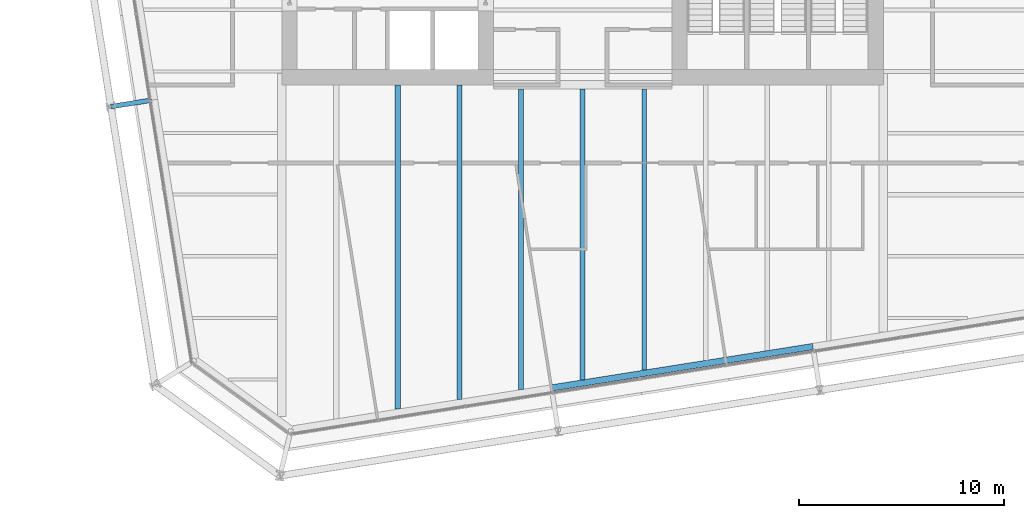
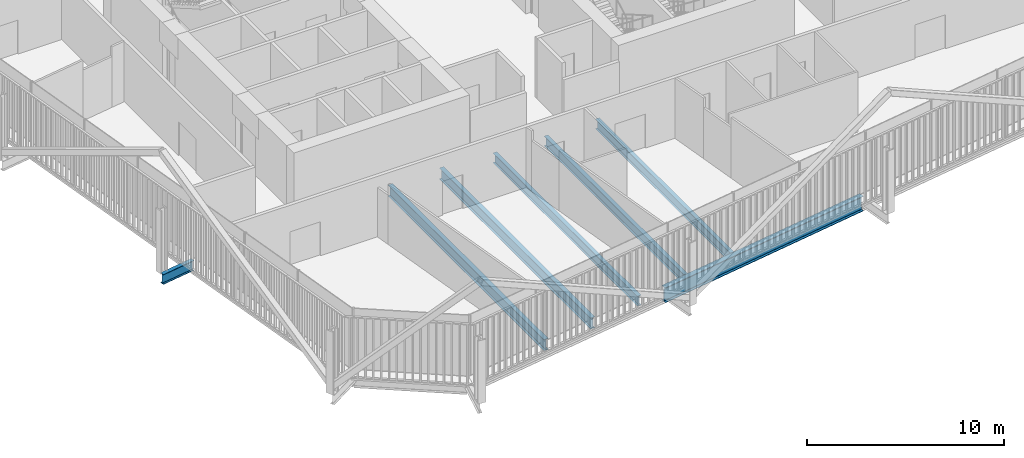
# One storey, part 3 of 22: 7 beams.
"""IFC4 building model written with IfcOpenShell, lengths in metres."""

import ifcopenshell
import ifcopenshell.guid

model = None  # the IFC model being written
_history = None  # IfcOwnerHistory: only IFC2X3 demands one
_inside = {}  # id of a spatial element -> (the spatial element, [elements in it])
_under = {}  # id of a project, library or spatial element -> (it, [spatial elements below it])
_declared = {}  # id of a project -> (the project, [libraries it declares])
_typed = {}  # id of a type object -> (the type object, [elements of that type])
_made_of = {}  # id of a material, layer set ... -> (it, [elements and type objects made of it])


def new_model(schema):
    """Start an empty IFC model of exactly this schema.

    Asked for "IFC4X3", IfcOpenShell would pick the latest addendum, in which some entities
    have other attributes; the version numbers below select the first issue.
    IFC2X3 requires an IfcOwnerHistory on every rooted entity: one is made here for all.
    """
    global model, _history
    if schema == "IFC4X3":
        model = ifcopenshell.file(schema_version=(4, 3, 0, 0))
    else:
        model = ifcopenshell.file(schema=schema)
    _inside.clear()
    _under.clear()
    _declared.clear()
    _typed.clear()
    _made_of.clear()
    _history = None
    if model.schema == "IFC2X3":
        org = make("IfcOrganization", Name="unknown")
        user = make(
            "IfcPersonAndOrganization",
            ThePerson=make("IfcPerson", FamilyName="unknown"),
            TheOrganization=org,
        )
        app = make(
            "IfcApplication",
            ApplicationDeveloper=org,
            Version="unknown",
            ApplicationFullName="unknown",
            ApplicationIdentifier="unknown",
        )
        _history = make(
            "IfcOwnerHistory",
            OwningUser=user,
            OwningApplication=app,
            ChangeAction="ADDED",
            CreationDate=0,
        )
    return model


def make(cls, **values):
    """One entity of the class cls with the attributes given. An attribute that is None is left unset."""
    return model.create_entity(
        cls, **{name: value for name, value in values.items() if value is not None}
    )


def rooted(cls, **values):
    """An entity with a GlobalId (a new one), such as an element, a storey or a relation."""
    return make(cls, GlobalId=ifcopenshell.guid.new(), OwnerHistory=_history, **values)


def si_unit(unit_type, name, prefix=None):
    """IfcSIUnit, for example si_unit("LENGTHUNIT", "METRE", prefix="MILLI")."""
    return make("IfcSIUnit", UnitType=unit_type, Prefix=prefix, Name=name)


def assignment(units):
    """IfcUnitAssignment: the units of a project."""
    return None if units is None else make("IfcUnitAssignment", Units=units)


def point(xyz):
    """IfcCartesianPoint."""
    return None if xyz is None else make("IfcCartesianPoint", Coordinates=xyz)


def direction(xyz):
    """IfcDirection."""
    return None if xyz is None else make("IfcDirection", DirectionRatios=xyz)


def frame(location, z_axis=None, x_axis=None):
    """IfcAxis2Placement3D, a coordinate frame: its origin and axes. An axis left out is left unset."""
    return make(
        "IfcAxis2Placement3D",
        Location=point(location),
        Axis=direction(z_axis),
        RefDirection=direction(x_axis),
    )


def frame_2d(location, x_axis=None):
    """IfcAxis2Placement2D, a coordinate frame in the plane: its origin and x axis."""
    return make(
        "IfcAxis2Placement2D", Location=point(location), RefDirection=direction(x_axis)
    )


def origin():
    """The frame at (0, 0, 0) with its axes left unset."""
    return frame((0.0, 0.0, 0.0))


def origin_2d():
    """The frame at (0, 0) in the plane with its x axis left unset."""
    return frame_2d((0.0, 0.0))


def place(relative_to, where):
    """IfcLocalPlacement: puts the frame where relative to a parent placement (None: the world)."""
    return make(
        "IfcLocalPlacement", PlacementRelTo=relative_to, RelativePlacement=where
    )


def context(
    kind, dimensions, precision=None, world=None, true_north=None, identifier=None
):
    """IfcGeometricRepresentationContext, for example the 3D "Model" context."""
    return make(
        "IfcGeometricRepresentationContext",
        ContextIdentifier=identifier,
        ContextType=kind,
        CoordinateSpaceDimension=dimensions,
        Precision=precision,
        WorldCoordinateSystem=world,
        TrueNorth=true_north,
    )


def subcontext(parent, identifier, kind, view, scale=None):
    """IfcGeometricRepresentationSubContext, for example "Body" below "Model"."""
    return make(
        "IfcGeometricRepresentationSubContext",
        ContextIdentifier=identifier,
        ContextType=kind,
        ParentContext=parent,
        TargetScale=scale,
        TargetView=view,
    )


def project(units=None, contexts=None):
    """IfcProject with its units and contexts."""
    return rooted(
        "IfcProject",
        Name="project",
        RepresentationContexts=contexts,
        UnitsInContext=assignment(units),
    )


def spatial(cls, under=None, at=None, **own):
    """A site, building, storey or space (cls), placed at a placement, below another one or the project."""
    s = rooted(cls, ObjectPlacement=at, **own)
    if under is not None:
        _under.setdefault(under.id(), (under, []))[1].append(s)
    return s


def profile(cls, at=None, kind="AREA", **sizes):
    """A parametric profile (cls). Its sizes go by their IFC names, for example OverallWidth=200.0."""
    return make(cls, ProfileType=kind, Position=at, **sizes)


def i_section(**sizes):
    """IfcIShapeProfileDef."""
    return profile("IfcIShapeProfileDef", **sizes)


def extrude(swept, where, along, depth):
    """IfcExtrudedAreaSolid: the profile swept, set in the frame where, extruded along a direction by depth."""
    return make(
        "IfcExtrudedAreaSolid",
        SweptArea=swept,
        Position=where,
        ExtrudedDirection=direction(along),
        Depth=depth,
    )


def shape(context_of_items, identifier, shape_type, items):
    """IfcShapeRepresentation: the items that make up one representation, for example the "Body"."""
    return make(
        "IfcShapeRepresentation",
        ContextOfItems=context_of_items,
        RepresentationIdentifier=identifier,
        RepresentationType=shape_type,
        Items=items,
    )


def material(Name=None, Category=None):
    """IfcMaterial."""
    return make("IfcMaterial", Name=Name, Category=Category)


def material_profile(
    of_material, cross_section, Name=None, Category=None, Priority=None
):
    """IfcMaterialProfile: a cross section and its material."""
    return make(
        "IfcMaterialProfile",
        Name=Name,
        Material=of_material,
        Profile=cross_section,
        Priority=Priority,
        Category=Category,
    )


def profile_set(profiles, Name=None, composite=None):
    """IfcMaterialProfileSet."""
    return make(
        "IfcMaterialProfileSet",
        Name=Name,
        MaterialProfiles=profiles,
        CompositeProfile=composite,
    )


def made_of(thing, what):
    """Note that an element or type object is made of a material, layer set ...; save() writes the relation."""
    if what is not None:
        _made_of.setdefault(what.id(), (what, []))[1].append(thing)
    return thing


def type_object(cls, material=None, **own):
    """A type object (cls), such as IfcWallType, which elements share."""
    return made_of(rooted(cls, **own), material)


def element(
    cls,
    number,
    at=None,
    inside=None,
    cuts=None,
    type_object=None,
    material=None,
    context=None,
    identifier="Body",
    shape_type=None,
    held_by="IfcProductDefinitionShape",
    body=None,
    shapes=None,
    **own,
):
    """One element of the class cls, such as IfcWall. Its Tag is "e" and its number.

    at: its placement. inside: the storey or other place that contains it. cuts: it is an
    opening in that element (IfcRelVoidsElement). A single representation is given by context,
    identifier, shape_type and body (its items); several are given by shapes. held_by: the class
    of the entity that holds the representations. save() writes the other relations.
    """
    e = rooted(cls, Tag="e%d" % number, ObjectPlacement=at, **own)
    if body is not None:
        shapes = [shape(context, identifier, shape_type, body)]
    if shapes is not None:
        e.Representation = make(held_by, Representations=shapes)
    if inside is not None:
        _inside.setdefault(inside.id(), (inside, []))[1].append(e)
    if cuts is not None:
        rooted(
            "IfcRelVoidsElement", RelatingBuildingElement=cuts, RelatedOpeningElement=e
        )
    if type_object is not None:
        _typed.setdefault(type_object.id(), (type_object, []))[1].append(e)
    return made_of(e, material)


def aggregate(whole, parts):
    """IfcRelAggregates: a whole, such as a stair, and the parts it consists of."""
    return rooted("IfcRelAggregates", RelatingObject=whole, RelatedObjects=parts)


def save(model, path):
    """Write the relations noted so far, then the file.

    IfcRelAggregates (storeys below a building ...), IfcRelContainedInSpatialStructure (elements
    in a storey), IfcRelDefinesByType, IfcRelAssociatesMaterial and IfcRelDeclares: one each for
    every whole, place, type object, material and project.
    """
    for whole, parts in _under.values():
        aggregate(whole, parts)
    for where, things in _inside.values():
        rooted(
            "IfcRelContainedInSpatialStructure",
            RelatedElements=things,
            RelatingStructure=where,
        )
    for kind, things in _typed.values():
        rooted("IfcRelDefinesByType", RelatedObjects=things, RelatingType=kind)
    for what, things in _made_of.values():
        rooted("IfcRelAssociatesMaterial", RelatedObjects=things, RelatingMaterial=what)
    for by, libraries in _declared.values():
        rooted("IfcRelDeclares", RelatingContext=by, RelatedDefinitions=libraries)
    model.write(path)


model = new_model("IFC4")

# Units and contexts
model_context = context("Model", 3, precision=1e-05, world=origin(), true_north=direction((0.0, 1.0)))
body_context = subcontext(model_context, "Body", "Model", "MODEL_VIEW")
ifc_project = project(units=[si_unit("LENGTHUNIT", "METRE"), si_unit("AREAUNIT", "SQUARE_METRE"), si_unit("VOLUMEUNIT", "CUBIC_METRE"), si_unit("PLANEANGLEUNIT", "RADIAN"), si_unit("MASSUNIT", "GRAM", prefix="KILO")], contexts=[model_context])

# Site, building, storey
site_placement = place(None, origin())
site = spatial("IfcSite", under=ifc_project, at=site_placement, CompositionType="ELEMENT")
building_placement = place(site_placement, origin())
building = spatial("IfcBuilding", under=site, at=building_placement, Name="Millrace Tower", CompositionType="ELEMENT")
storey_placement = place(building_placement, frame((0.0, 0.0, 145.10009765625)))
storey = spatial("IfcBuildingStorey", under=building, at=storey_placement, Name="L32", CompositionType="ELEMENT", Elevation=145.10009765625)

# Beams
ifc_material_1 = material(Name="Steel ASTM A992 Grade 50", Category="steel")
ifc_material_profile_1 = material_profile(ifc_material_1, i_section(OverallWidth=0.228271484375, OverallDepth=0.607177734375, WebThickness=0.01123046875, FlangeThickness=0.017333984375, FilletRadius=0.0126953125, at=origin_2d()))
ifc_profile_set_1 = profile_set([ifc_material_profile_1], Name="Steel ASTM A992 Grade 50")
beam_type_1 = type_object("IfcBeamType", Name="Floor beam W24x76", PredefinedType="JOIST", material=ifc_profile_set_1)
beam_1_placement = place(storey_placement, frame((-3.0, -24.4970703125, -0.463623046875), z_axis=(0.0, 1.0, 0.0), x_axis=(-1.0, 0.0, 0.0)))
element("IfcBeam", 1, at=beam_1_placement, inside=storey, type_object=beam_type_1, Name="BM-C-L32-S1-S046", PredefinedType="JOIST", context=body_context, shape_type="SweptSolid", body=[
    extrude(i_section(OverallWidth=0.228271484375, OverallDepth=0.607177734375, WebThickness=0.01123046875, FlangeThickness=0.017333984375, FilletRadius=0.0126953125, at=origin_2d()), origin(), (0.0, 0.0, 1.0), 14.637451171875),
])
beam_2_placement = place(storey_placement, frame((0.0, -24.021728515625, -0.463623046875), z_axis=(0.0, 1.0, 0.0), x_axis=(-1.0, 0.0, 0.0)))
element("IfcBeam", 2, at=beam_2_placement, inside=storey, type_object=beam_type_1, Name="BM-C-L32-S1-S048", PredefinedType="JOIST", context=body_context, shape_type="SweptSolid", body=[
    extrude(i_section(OverallWidth=0.228271484375, OverallDepth=0.607177734375, WebThickness=0.01123046875, FlangeThickness=0.017333984375, FilletRadius=0.0126953125, at=origin_2d()), origin(), (0.0, 0.0, 1.0), 14.162109375),
])
beam_3_placement = place(storey_placement, frame((3.0, -23.546630859375, -0.463623046875), z_axis=(0.0, 1.0, 0.0), x_axis=(-1.0, 0.0, 0.0)))
element("IfcBeam", 3, at=beam_3_placement, inside=storey, type_object=beam_type_1, Name="BM-C-L32-S1-S050", PredefinedType="JOIST", context=body_context, shape_type="SweptSolid", body=[
    extrude(i_section(OverallWidth=0.228271484375, OverallDepth=0.607177734375, WebThickness=0.01123046875, FlangeThickness=0.017333984375, FilletRadius=0.0126953125, at=origin_2d()), origin(), (0.0, 0.0, 1.0), 13.68701171875),
])
ifc_material_2 = material(Name="Steel ASTM A992 Grade 50", Category="steel")
ifc_material_profile_2 = material_profile(ifc_material_2, i_section(OverallWidth=0.256591796875, OverallDepth=0.693359375, WebThickness=0.014404296875, FlangeThickness=0.023681640625, FilletRadius=0.01513671875, at=origin_2d()))
ifc_profile_set_2 = profile_set([ifc_material_profile_2], Name="Steel ASTM A992 Grade 50")
beam_type_2 = type_object("IfcBeamType", Name="Floor beam W27x114", PredefinedType="JOIST", material=ifc_profile_set_2)
beam_4_placement = place(storey_placement, frame((-9.0, -25.447265625, -0.5068359375), z_axis=(0.0, 1.0, 0.0), x_axis=(-1.0, 0.0, 0.0)))
element("IfcBeam", 4, at=beam_4_placement, inside=storey, type_object=beam_type_2, Name="BM-C-L32-S1-S042", PredefinedType="JOIST", context=body_context, shape_type="SweptSolid", body=[
    extrude(i_section(OverallWidth=0.256591796875, OverallDepth=0.693359375, WebThickness=0.014404296875, FlangeThickness=0.023681640625, FilletRadius=0.01513671875, at=origin_2d()), origin(), (0.0, 0.0, 1.0), 15.79736328125),
])
beam_5_placement = place(storey_placement, frame((-6.0, -24.97216796875, -0.5068359375), z_axis=(0.0, 1.0, 0.0), x_axis=(-1.0, 0.0, 0.0)))
element("IfcBeam", 5, at=beam_5_placement, inside=storey, type_object=beam_type_2, Name="BM-C-L32-S1-S044", PredefinedType="JOIST", context=body_context, shape_type="SweptSolid", body=[
    extrude(i_section(OverallWidth=0.256591796875, OverallDepth=0.693359375, WebThickness=0.014404296875, FlangeThickness=0.023681640625, FilletRadius=0.01513671875, at=origin_2d()), origin(), (0.0, 0.0, 1.0), 15.322265625),
])
ifc_material_3 = material(Name="Steel ASTM A992 Grade 50", Category="steel")
ifc_material_profile_3 = material_profile(ifc_material_3, i_section(OverallWidth=0.23046875, OverallDepth=0.6171875, WebThickness=0.01318359375, FlangeThickness=0.022216796875, FilletRadius=0.012939453125, at=origin_2d()))
ifc_profile_set_3 = profile_set([ifc_material_profile_3], Name="Steel ASTM A992 Grade 50")
beam_type_3 = type_object("IfcBeamType", Name="Link beam W24x94", PredefinedType="BEAM", material=ifc_profile_set_3)
beam_6_placement = place(storey_placement, frame((-21.001708984375, -10.396728515625, -0.46875), z_axis=(-0.987678691416, -0.156495375404, 0.0), x_axis=(0.156495375404, -0.987678691416, 0.0)))
element("IfcBeam", 6, at=beam_6_placement, inside=storey, type_object=beam_type_3, Name="LNK-C-L32-S1-02", PredefinedType="BEAM", context=body_context, shape_type="SweptSolid", body=[
    extrude(i_section(OverallWidth=0.23046875, OverallDepth=0.6171875, WebThickness=0.01318359375, FlangeThickness=0.022216796875, FilletRadius=0.012939453125, at=origin_2d()), origin(), (0.0, 0.0, 1.0), 2.0),
])
ifc_material_4 = material(Name="Steel ASTM A992 Grade 50", Category="steel")
ifc_material_profile_4 = material_profile(ifc_material_4, i_section(OverallWidth=0.307373046875, OverallDepth=0.927001953125, WebThickness=0.01953125, FlangeThickness=0.031982421875, FilletRadius=0.01904296875, at=origin_2d()))
ifc_profile_set_4 = profile_set([ifc_material_profile_4], Name="Steel ASTM A992 Grade 50")
beam_type_4 = type_object("IfcBeamType", Name="Ring beam medium span W36x194", PredefinedType="SPANDREL", material=ifc_profile_set_4)
beam_7_placement = place(storey_placement, frame((11.22265625, -22.39990234375, -0.62353515625), z_axis=(-0.987687196578, -0.156441687909, 0.0), x_axis=(0.156441687909, -0.987687196578, 0.0)))
element("IfcBeam", 7, at=beam_7_placement, inside=storey, type_object=beam_type_4, Name="RNG-C-L32-S1-14", PredefinedType="SPANDREL", context=body_context, shape_type="SweptSolid", body=[
    extrude(i_section(OverallWidth=0.307373046875, OverallDepth=0.927001953125, WebThickness=0.01953125, FlangeThickness=0.031982421875, FilletRadius=0.01904296875, at=origin_2d()), origin(), (0.0, 0.0, 1.0), 12.89990234375),
])

save(model, "model.ifc")
